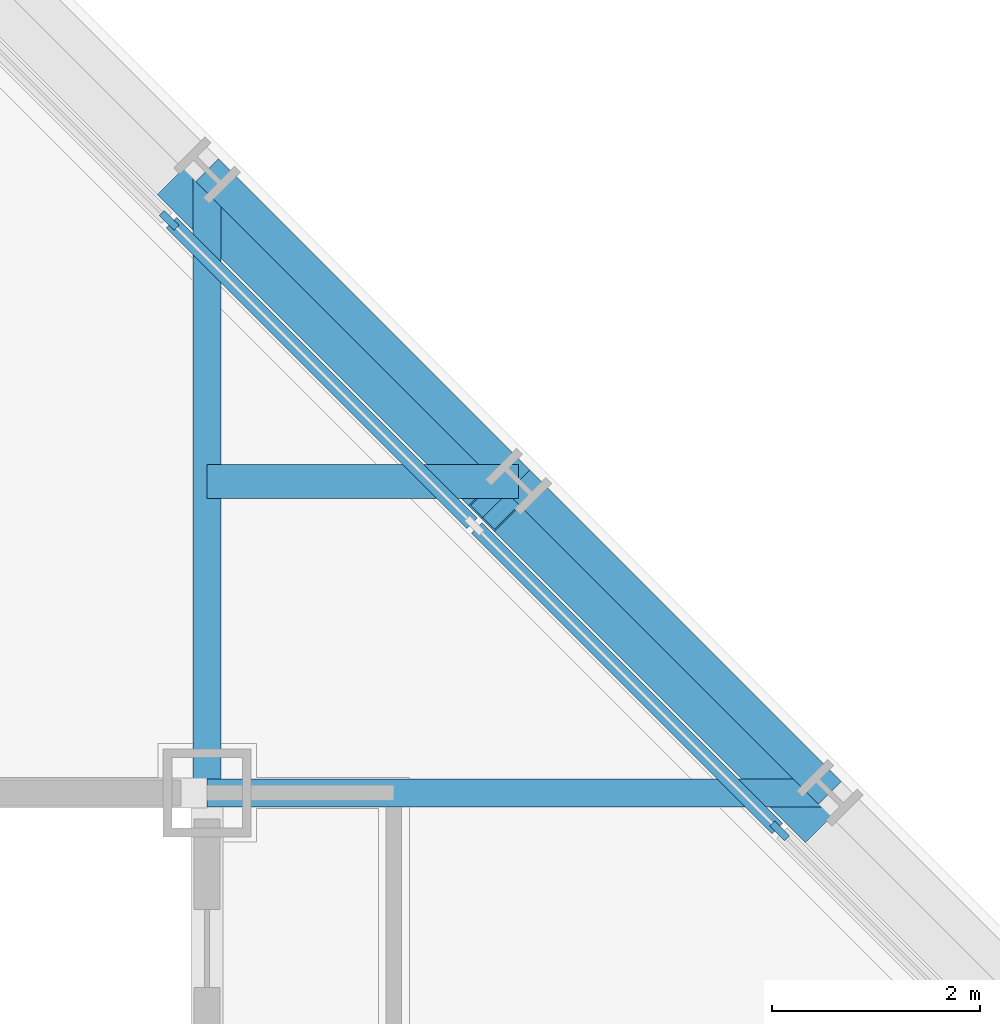
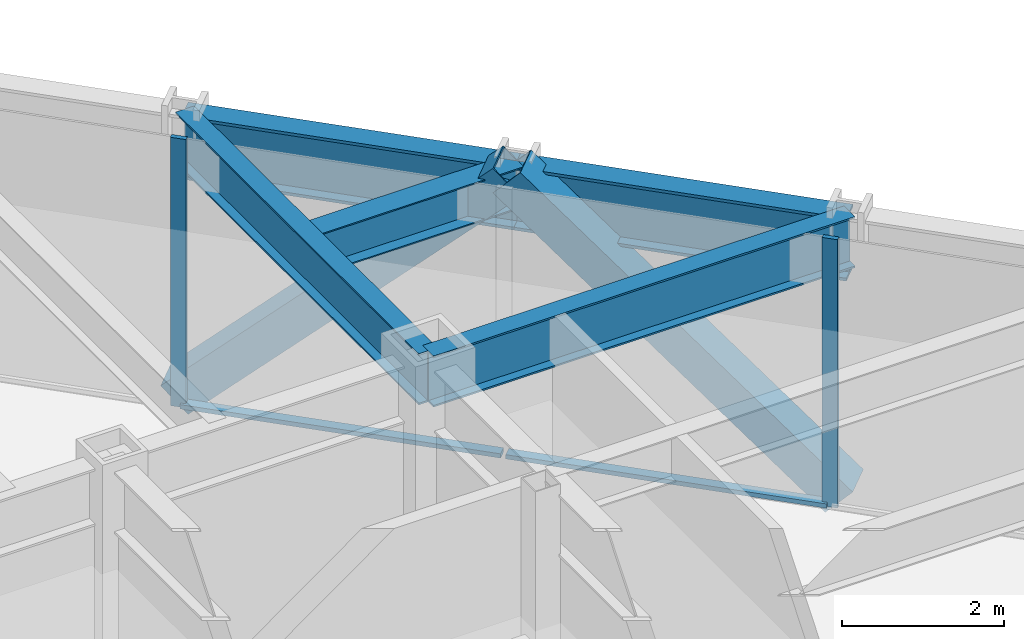
# One storey, part 8 of 16: 6 members, 5 beams, 1 element without a shape of its own.
"""IFC4 building model written with IfcOpenShell, lengths in metres."""

from ifc_helpers import new_model, si_unit, direction, frame, origin, origin_2d, place, context, subcontext, project, spatial, rectangle, hollow_rectangle, i_section, extrude, material, layer, layer_set, material_profile, profile_set, type_object, element, aggregate, save


model = new_model("IFC4")

# Units and contexts
model_context = context("Model", 3, precision=1e-05, world=origin(), true_north=direction((0.0, 1.0)))
body_context = subcontext(model_context, "Body", "Model", "MODEL_VIEW")
ifc_project = project(units=[si_unit("LENGTHUNIT", "METRE"), si_unit("AREAUNIT", "SQUARE_METRE"), si_unit("VOLUMEUNIT", "CUBIC_METRE"), si_unit("PLANEANGLEUNIT", "RADIAN"), si_unit("MASSUNIT", "GRAM", prefix="KILO")], contexts=[model_context])

# Site, building, storey
site_placement = place(None, origin())
site = spatial("IfcSite", under=ifc_project, at=site_placement, CompositionType="ELEMENT")
building_placement = place(site_placement, origin())
building = spatial("IfcBuilding", under=site, at=building_placement, Name="Chuquiago Exchange Tower", CompositionType="ELEMENT")
storey_placement = place(building_placement, frame((0.0, 0.0, 157.199951171875)))
storey = spatial("IfcBuildingStorey", under=building, at=storey_placement, Name="L34", CompositionType="ELEMENT", Elevation=157.199951171875)

# Beam
ifc_material_1 = material(Name="Steel ASTM A992", Category="steel")
ifc_material_profile_1 = material_profile(ifc_material_1, i_section(OverallWidth=0.3251953125, OverallDepth=0.612060546875, WebThickness=0.0126953125, FlangeThickness=0.01904296875, at=origin_2d()), Name="W24X104")
ifc_profile_set_1 = profile_set([ifc_material_profile_1], Name="Steel ASTM A992")
beam_type_1 = type_object("IfcBeamType", Name="B2 W24X104", PredefinedType="BEAM", material=ifc_profile_set_1)
beam_placement = place(storey_placement, frame((33.0, 36.0, 3.73388671875), z_axis=(1.0, 0.0, 0.0), x_axis=(0.0, 1.0, 0.0)))
element("IfcBeam", 1, at=beam_placement, inside=storey, type_object=beam_type_1, Name="FB-L35-corner-33_36-36_36-0", PredefinedType="BEAM", context=body_context, shape_type="SweptSolid", body=[
    extrude(i_section(OverallWidth=0.3251953125, OverallDepth=0.612060546875, WebThickness=0.0126953125, FlangeThickness=0.01904296875, at=origin_2d()), origin(), (0.0, 0.0, 1.0), 3.0),
])

# Curtain wall, members
ifc_material_2 = material(Name="Aluminium curtain wall system", Category="aluminium")
ifc_layer = layer(ifc_material_2, 0.199951171875)
ifc_layer_set = layer_set([ifc_layer], Name="CW3 facet curtain wall")
curtain_wall_type = type_object("IfcCurtainWallType", Name="CW3 facet curtain wall", PredefinedType="NOTDEFINED", material=ifc_layer_set)
curtain_wall_placement = place(storey_placement, origin())
curtain_wall = element("IfcCurtainWall", 2, at=curtain_wall_placement, inside=storey, type_object=curtain_wall_type, Name="CW3 curtain wall L34", PredefinedType="NOTDEFINED")
ifc_material_3 = material(Name="Aluminium mullion, pale anodised", Category="aluminium")
ifc_material_profile_2 = material_profile(ifc_material_3, rectangle(XDim=0.06494140625, YDim=0.199951171875, at=origin_2d()), Name="AL 65x200")
ifc_profile_set_2 = profile_set([ifc_material_profile_2], Name="Aluminium mullion, pale anodised")
member_type_1 = type_object("IfcMemberType", Name="CW3-M mullion 65x200", PredefinedType="MULLION", material=ifc_profile_set_2)
member_1_placement = place(storey_placement, frame((38.51708984375, 32.63427734375, 0.0), z_axis=(0.0, 0.0, 1.0), x_axis=(-0.707106781187, -0.707106781187, 0.0)))
member_1 = element("IfcMember", 3, at=member_1_placement, type_object=member_type_1, Name="CW3 mullion 3", PredefinedType="MULLION", context=body_context, shape_type="SweptSolid", body=[
    extrude(rectangle(XDim=0.06494140625, YDim=0.199951171875, at=origin_2d()), origin(), (0.0, 0.0, 1.0), 4.0400390625),
])
member_2_placement = place(storey_placement, frame((32.63427734375, 38.51708984375, 0.0), z_axis=(0.0, 0.0, 1.0), x_axis=(-0.707106781187, -0.707106781187, 0.0)))
member_2 = element("IfcMember", 4, at=member_2_placement, type_object=member_type_1, Name="CW3 mullion 5", PredefinedType="MULLION", context=body_context, shape_type="SweptSolid", body=[
    extrude(rectangle(XDim=0.06494140625, YDim=0.199951171875, at=origin_2d()), origin(), (0.0, 0.0, 1.0), 4.0400390625),
])
ifc_material_4 = material(Name="Aluminium transom, pale anodised", Category="aluminium")
ifc_material_profile_3 = material_profile(ifc_material_4, rectangle(XDim=0.139892578125, YDim=0.06494140625, at=origin_2d()), Name="AL 140x65")
ifc_profile_set_3 = profile_set([ifc_material_profile_3], Name="Aluminium transom, pale anodised")
member_type_2 = type_object("IfcMemberType", Name="CW3-T transom 65x140", PredefinedType="MULLION", material=ifc_profile_set_3)
member_3_placement = place(storey_placement, frame((38.494140625, 32.6572265625, 0.032470703125), z_axis=(-0.707106781187, 0.707106781187, 0.0), x_axis=(-0.707106781187, -0.707106781187, 0.0)))
member_3 = element("IfcMember", 5, at=member_3_placement, type_object=member_type_2, Name="CW3 transom 3.1", PredefinedType="MULLION", context=body_context, shape_type="SweptSolid", body=[
    extrude(rectangle(XDim=0.139892578125, YDim=0.06494140625, at=origin_2d()), origin(), (0.0, 0.0, 1.0), 4.094970703125),
])
member_4_placement = place(storey_placement, frame((35.552734375, 35.5986328125, 0.032470703125), z_axis=(-0.707106781187, 0.707106781187, 0.0), x_axis=(-0.707106781187, -0.707106781187, 0.0)))
member_4 = element("IfcMember", 6, at=member_4_placement, type_object=member_type_2, Name="CW3 transom 4.1", PredefinedType="MULLION", context=body_context, shape_type="SweptSolid", body=[
    extrude(rectangle(XDim=0.139892578125, YDim=0.06494140625, at=origin_2d()), origin(), (0.0, 0.0, 1.0), 4.094970703125),
])
aggregate(curtain_wall, [member_1, member_2, member_3, member_4])

# Beams
ifc_material_5 = material(Name="Steel ASTM A992", Category="steel")
ifc_material_profile_4 = material_profile(ifc_material_5, i_section(OverallWidth=0.2666015625, OverallDepth=0.76953125, WebThickness=0.015625, FlangeThickness=0.025390625, at=origin_2d()), Name="W30X132")
ifc_profile_set_4 = profile_set([ifc_material_profile_4], Name="Steel ASTM A992")
beam_type_2 = type_object("IfcBeamType", Name="G1 W30X132", PredefinedType="BEAM", material=ifc_profile_set_4)
for number, where, z_axis, x_axis, name in (
    (7, (33.0, 33.0, 3.6552734375), (0.0, 1.0, 0.0), (-1.0, 0.0, 0.0), "FB-L35-girder-33_33-33_39-0"),
    (8, (33.0, 33.0, 3.6552734375), (1.0, 0.0, 0.0), (0.0, 1.0, 0.0), "FB-L35-girder-33_33-39_33-0"),
):
    element("IfcBeam", number, at=place(storey_placement, frame(where, z_axis=z_axis, x_axis=x_axis)), inside=storey, type_object=beam_type_2, Name=name, PredefinedType="BEAM", context=body_context, shape_type="SweptSolid", body=[
        extrude(i_section(OverallWidth=0.2666015625, OverallDepth=0.76953125, WebThickness=0.015625, FlangeThickness=0.025390625, at=origin_2d()), origin(), (0.0, 0.0, 1.0), 6.0),
    ])

# Members
ifc_material_6 = material(Name="Steel ASTM A500 Grade C", Category="steel")
ifc_material_profile_5 = material_profile(ifc_material_6, hollow_rectangle(XDim=0.508056640625, YDim=0.508056640625, WallThickness=0.017822265625, at=origin_2d()), Name="HSS20X20X3/4")
ifc_profile_set_5 = profile_set([ifc_material_profile_5], Name="Steel ASTM A500 Grade C")
member_type_3 = type_object("IfcMemberType", Name="LB1 HSS20X20X3/4", PredefinedType="BRACE", material=ifc_profile_set_5)
for number, where, z_axis, x_axis, name in (
    (9, (38.822509765625, 32.822509765625, 0.0), (-0.512077265487, 0.512077265487, 0.689604051861), (-0.707106781187, -0.707106781187, 0.0), "LB-L34-39_33-36_36"),
    (10, (32.822509765625, 38.822509765625, 0.0), (0.512077265487, -0.512077265487, 0.689604051861), (0.707106781187, 0.707106781187, 0.0), "LB-L34-36_36-33_39"),
):
    element("IfcMember", number, at=place(storey_placement, frame(where, z_axis=z_axis, x_axis=x_axis)), inside=storey, type_object=member_type_3, Name=name, PredefinedType="BRACE", context=body_context, shape_type="SweptSolid", body=[
        extrude(hollow_rectangle(XDim=0.508056640625, YDim=0.508056640625, WallThickness=0.017822265625, at=origin_2d()), origin(), (0.0, 0.0, 1.0), 5.8583984375),
    ])

# Beams
ifc_material_7 = material(Name="Steel ASTM A992", Category="steel")
ifc_material_profile_6 = material_profile(ifc_material_7, i_section(OverallWidth=0.309814453125, OverallDepth=0.949951171875, WebThickness=0.0244140625, FlangeThickness=0.0439453125, at=origin_2d()), Name="W36X256")
ifc_profile_set_6 = profile_set([ifc_material_profile_6], Name="Steel ASTM A992")
beam_type_3 = type_object("IfcBeamType", Name="SP2 W36X256", PredefinedType="SPANDREL", material=ifc_profile_set_6)
for number, where, z_axis, x_axis, name in (
    (11, (39.0, 33.0, 3.56494140625), (-0.707106781187, 0.707106781187, 0.0), (-0.707106781187, -0.707106781187, 0.0), "SPB-L35-39_33-36_36"),
    (12, (36.0, 36.0, 3.56494140625), (-0.707106781187, 0.707106781187, 0.0), (-0.707106781187, -0.707106781187, 0.0), "SPB-L35-36_36-33_39"),
):
    element("IfcBeam", number, at=place(storey_placement, frame(where, z_axis=z_axis, x_axis=x_axis)), inside=storey, type_object=beam_type_3, Name=name, PredefinedType="SPANDREL", context=body_context, shape_type="SweptSolid", body=[
        extrude(i_section(OverallWidth=0.309814453125, OverallDepth=0.949951171875, WebThickness=0.0244140625, FlangeThickness=0.0439453125, at=origin_2d()), origin(), (0.0, 0.0, 1.0), 4.24267578125),
    ])

save(model, "model.ifc")
